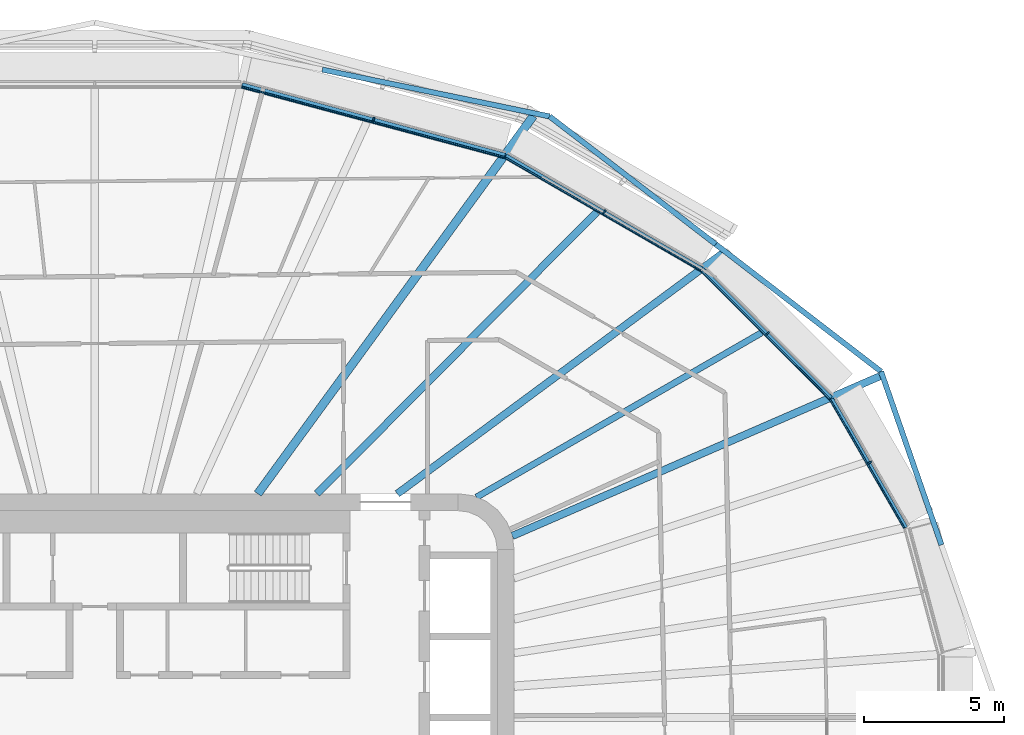
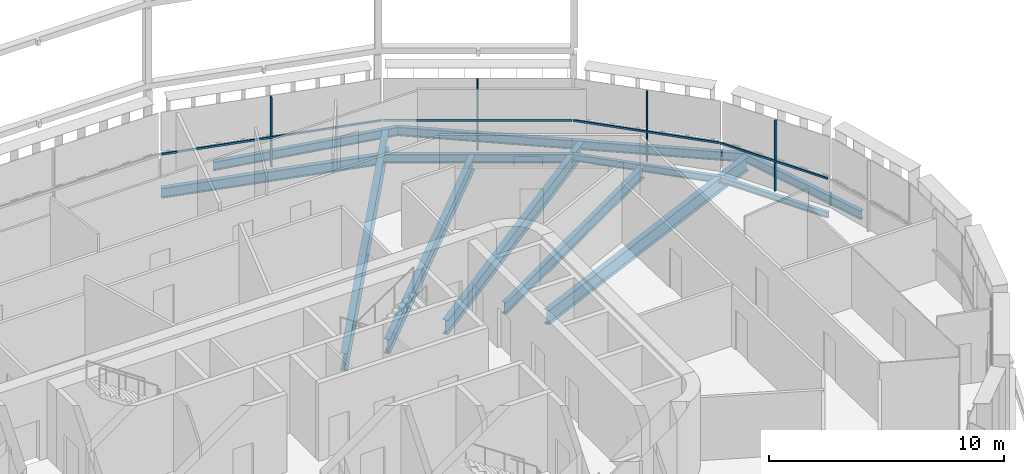
# One storey, part 8 of 22: 13 beams, 8 members, 4 elements without a shape of their own.
"""IFC4 building model written with IfcOpenShell, lengths in metres."""

from ifc_helpers import new_model, si_unit, direction, frame, origin, origin_2d, place, context, subcontext, project, spatial, rectangle, i_section, extrude, material, layer, layer_set, material_profile, profile_set, type_object, element, aggregate, save


model = new_model("IFC4")

# Units and contexts
model_context = context("Model", 3, precision=1e-05, world=origin(), true_north=direction((0.0, 1.0)))
body_context = subcontext(model_context, "Body", "Model", "MODEL_VIEW")
ifc_project = project(units=[si_unit("LENGTHUNIT", "METRE"), si_unit("AREAUNIT", "SQUARE_METRE"), si_unit("VOLUMEUNIT", "CUBIC_METRE"), si_unit("PLANEANGLEUNIT", "RADIAN"), si_unit("MASSUNIT", "GRAM", prefix="KILO")], contexts=[model_context])

# Site, building, storey
site_placement = place(None, origin())
site = spatial("IfcSite", under=ifc_project, at=site_placement, CompositionType="ELEMENT")
building_placement = place(site_placement, origin())
building = spatial("IfcBuilding", under=site, at=building_placement, Name="Sahrelin Media Tower", CompositionType="ELEMENT")
storey_placement = place(building_placement, frame((0.0, 0.0, 50.39990234375)))
storey = spatial("IfcBuildingStorey", under=building, at=storey_placement, Name="L07", CompositionType="ELEMENT", Elevation=50.39990234375)

# Beams
ifc_material_1 = material(Name="Steel S355", Category="steel")
ifc_material_profile_1 = material_profile(ifc_material_1, i_section(OverallWidth=0.1650390625, OverallDepth=0.303466796875, WebThickness=0.006103515625, FlangeThickness=0.01025390625, FilletRadius=0.0087890625, at=origin_2d()), Name="UB 305x165x40")
ifc_profile_set_1 = profile_set([ifc_material_profile_1], Name="Steel S355")
beam_type_1 = type_object("IfcBeamType", Name="Edge beam EB2", PredefinedType="BEAM", material=ifc_profile_set_1)
beam_1_placement = place(storey_placement, frame((26.337158203125, 11.390380859375, -0.301513671875), z_axis=(0.500035096025, -0.866005140137, 0.0), x_axis=(0.866005140137, 0.500035096025, 0.0)))
element("IfcBeam", 1, at=beam_1_placement, inside=storey, type_object=beam_type_1, Name="Edge beam L07-23", PredefinedType="BEAM", context=body_context, shape_type="SweptSolid", body=[
    extrude(i_section(OverallWidth=0.1650390625, OverallDepth=0.303466796875, WebThickness=0.006103515625, FlangeThickness=0.01025390625, FilletRadius=0.0087890625, at=origin_2d()), origin(), (0.0, 0.0, 1.0), 5.3173828125),
])
ifc_material_profile_2 = material_profile(ifc_material_1, i_section(OverallWidth=0.17138671875, OverallDepth=0.35498046875, WebThickness=0.00732421875, FlangeThickness=0.011474609375, FilletRadius=0.01025390625, at=origin_2d()), Name="UB 356x171x51")
ifc_profile_set_2 = profile_set([ifc_material_profile_2], Name="Steel S355")
beam_type_2 = type_object("IfcBeamType", Name="Edge beam EB3", PredefinedType="BEAM", material=ifc_profile_set_2)
beam_2_placement = place(storey_placement, frame((21.736572265625, 15.996337890625, -0.327392578125), z_axis=(0.707087947355, -0.707125614516, 0.0), x_axis=(0.707125614516, 0.707087947355, 0.0)))
element("IfcBeam", 2, at=beam_2_placement, inside=storey, type_object=beam_type_2, Name="Edge beam L07-22", PredefinedType="BEAM", context=body_context, shape_type="SweptSolid", body=[
    extrude(i_section(OverallWidth=0.17138671875, OverallDepth=0.35498046875, WebThickness=0.00732421875, FlangeThickness=0.011474609375, FilletRadius=0.01025390625, at=origin_2d()), origin(), (0.0, 0.0, 1.0), 6.4814453125),
])
ifc_material_profile_3 = material_profile(ifc_material_1, i_section(OverallWidth=0.1904296875, OverallDepth=0.45703125, WebThickness=0.009033203125, FlangeThickness=0.014404296875, FilletRadius=0.01025390625, at=origin_2d()), Name="UB 457x191x74")
ifc_profile_set_3 = profile_set([ifc_material_profile_3], Name="Steel S355")
beam_type_3 = type_object("IfcBeamType", Name="Edge beam EB5", PredefinedType="BEAM", material=ifc_profile_set_3)
beam_3_placement = place(storey_placement, frame((14.694091796875, 20.066650390625, -0.37841796875), z_axis=(0.866025076934, -0.500000566121, 0.0), x_axis=(0.500000566121, 0.866025076934, 0.0)))
element("IfcBeam", 3, at=beam_3_placement, inside=storey, type_object=beam_type_3, Name="Edge beam L07-21", PredefinedType="BEAM", context=body_context, shape_type="SweptSolid", body=[
    extrude(i_section(OverallWidth=0.1904296875, OverallDepth=0.45703125, WebThickness=0.009033203125, FlangeThickness=0.014404296875, FilletRadius=0.01025390625, at=origin_2d()), origin(), (0.0, 0.0, 1.0), 8.10546875),
])
ifc_material_profile_4 = material_profile(ifc_material_1, i_section(OverallWidth=0.208740234375, OverallDepth=0.5283203125, WebThickness=0.009521484375, FlangeThickness=0.01318359375, FilletRadius=0.0126953125, at=origin_2d()), Name="UB 533x210x82")
ifc_profile_set_4 = profile_set([ifc_material_profile_4], Name="Steel S355")
beam_type_4 = type_object("IfcBeamType", Name="Edge beam EB6", PredefinedType="BEAM", material=ifc_profile_set_4)
beam_4_placement = place(storey_placement, frame((5.26123046875, 22.597900390625, -0.4140625), z_axis=(0.96592925142, -0.258806262002, 0.0), x_axis=(0.258806262002, 0.96592925142, 0.0)))
element("IfcBeam", 4, at=beam_4_placement, inside=storey, type_object=beam_type_4, Name="Edge beam L07-20", PredefinedType="BEAM", context=body_context, shape_type="SweptSolid", body=[
    extrude(i_section(OverallWidth=0.208740234375, OverallDepth=0.5283203125, WebThickness=0.009521484375, FlangeThickness=0.01318359375, FilletRadius=0.0126953125, at=origin_2d()), origin(), (0.0, 0.0, 1.0), 9.738037109375),
])

# Curtain wall, member
ifc_material_2 = material(Name="Champagne anodised aluminium 6063-T6", Category="aluminium")
ifc_layer = layer(ifc_material_2, 0.14990234375)
ifc_layer_set = layer_set([ifc_layer], Name="Tower ribbon curtain wall")
curtain_wall_type = type_object("IfcCurtainWallType", Name="Tower ribbon curtain wall", PredefinedType="NOTDEFINED", material=ifc_layer_set)
curtain_wall_1_placement = place(storey_placement, frame((27.79638671875, 9.162841796875, 0.0), z_axis=(0.0, 0.0, 1.0), x_axis=(1.0, 0.0, 0.0)))
curtain_wall_1 = element("IfcCurtainWall", 5, at=curtain_wall_1_placement, inside=storey, type_object=curtain_wall_type, Name="L07:CW:L07-02", PredefinedType="NOTDEFINED")
ifc_material_profile_5 = material_profile(ifc_material_2, rectangle(XDim=0.06005859375, YDim=0.14990234375, at=origin_2d()), Name="Mullion 60x150")
ifc_profile_set_5 = profile_set([ifc_material_profile_5], Name="Champagne anodised aluminium 6063-T6")
member_type_1 = type_object("IfcMemberType", Name="Mullion 60x150 CW1", PredefinedType="MULLION", material=ifc_profile_set_5)
member_1_placement = place(storey_placement, frame((27.714111328125, 9.115234375, 0.0), z_axis=(0.0, 0.0, 1.0), x_axis=(-0.500001511499, 0.866024531118, 0.0)))
member_1 = element("IfcMember", 6, at=member_1_placement, type_object=member_type_1, Name="L07:CWM:L07-02", PredefinedType="MULLION", context=body_context, shape_type="SweptSolid", body=[
    extrude(rectangle(XDim=0.06005859375, YDim=0.14990234375, at=origin_2d()), origin(), (0.0, 0.0, 1.0), 3.648681640625),
])

curtain_wall_2_placement = place(storey_placement, frame((24.13427734375, 13.810791015625, 0.0), z_axis=(0.0, 0.0, 1.0), x_axis=(1.0, 0.0, 0.0)))
curtain_wall_2 = element("IfcCurtainWall", 7, at=curtain_wall_2_placement, inside=storey, type_object=curtain_wall_type, Name="L07:CW:L07-03", PredefinedType="NOTDEFINED")
member_2_placement = place(storey_placement, frame((24.06689453125, 13.74365234375, 0.0), z_axis=(0.0, 0.0, 1.0), x_axis=(-0.707106781187, 0.707106781187, 0.0)))
member_2 = element("IfcMember", 8, at=member_2_placement, type_object=member_type_1, Name="L07:CWM:L07-03", PredefinedType="MULLION", context=body_context, shape_type="SweptSolid", body=[
    extrude(rectangle(XDim=0.06005859375, YDim=0.14990234375, at=origin_2d()), origin(), (0.0, 0.0, 1.0), 3.648681640625),
])

curtain_wall_3_placement = place(storey_placement, frame((18.27880859375, 18.170166015625, 0.0), z_axis=(0.0, 0.0, 1.0), x_axis=(1.0, 0.0, 0.0)))
curtain_wall_3 = element("IfcCurtainWall", 9, at=curtain_wall_3_placement, inside=storey, type_object=curtain_wall_type, Name="L07:CW:L07-04", PredefinedType="NOTDEFINED")
member_3_placement = place(storey_placement, frame((18.2314453125, 18.087890625, 0.0), z_axis=(0.0, 0.0, 1.0), x_axis=(-0.866025403784, 0.5, 0.0)))
member_3 = element("IfcMember", 10, at=member_3_placement, type_object=member_type_1, Name="L07:CWM:L07-04", PredefinedType="MULLION", context=body_context, shape_type="SweptSolid", body=[
    extrude(rectangle(XDim=0.06005859375, YDim=0.14990234375, at=origin_2d()), origin(), (0.0, 0.0, 1.0), 3.648681640625),
])

curtain_wall_4_placement = place(storey_placement, frame((10.003173828125, 21.48291015625, 0.0), z_axis=(0.0, 0.0, 1.0), x_axis=(1.0, 0.0, 0.0)))
curtain_wall_4 = element("IfcCurtainWall", 11, at=curtain_wall_4_placement, inside=storey, type_object=curtain_wall_type, Name="L07:CW:L07-05", PredefinedType="NOTDEFINED")
member_4_placement = place(storey_placement, frame((9.978515625, 21.39111328125, 0.0), z_axis=(0.0, 0.0, 1.0), x_axis=(-0.965927181449, 0.258813987523, 0.0)))
member_4 = element("IfcMember", 12, at=member_4_placement, type_object=member_type_1, Name="L07:CWM:L07-05", PredefinedType="MULLION", context=body_context, shape_type="SweptSolid", body=[
    extrude(rectangle(XDim=0.06005859375, YDim=0.14990234375, at=origin_2d()), origin(), (0.0, 0.0, 1.0), 3.648681640625),
])

# Beams
ifc_material_profile_6 = material_profile(ifc_material_1, i_section(OverallWidth=0.30322265625, OverallDepth=0.903076171875, WebThickness=0.01513671875, FlangeThickness=0.020263671875, FilletRadius=0.01904296875, at=origin_2d()), Name="UB 914x305x201")
ifc_profile_set_6 = profile_set([ifc_material_profile_6], Name="Steel S355")
beam_type_5 = type_object("IfcBeamType", Name="Radial primary beam PB11", PredefinedType="BEAM", material=ifc_profile_set_6)
beam_5_placement = place(storey_placement, frame((5.83349609375, 8.0, -0.601318359375), z_axis=(0.589182282122, 0.808000147546, 0.0), x_axis=(-0.808000147546, 0.589182282122, 0.0)))
element("IfcBeam", 13, at=beam_5_placement, inside=storey, type_object=beam_type_5, Name="Radial beam L07-05", PredefinedType="BEAM", context=body_context, shape_type="SweptSolid", body=[
    extrude(i_section(OverallWidth=0.30322265625, OverallDepth=0.903076171875, WebThickness=0.01513671875, FlangeThickness=0.020263671875, FilletRadius=0.01904296875, at=origin_2d()), origin(), (0.0, 0.0, 1.0), 16.72705078125),
])
ifc_material_profile_7 = material_profile(ifc_material_1, i_section(OverallWidth=0.26513671875, OverallDepth=0.75390625, WebThickness=0.0126953125, FlangeThickness=0.017578125, FilletRadius=0.0166015625, at=origin_2d()), Name="UB 762x267x147")
ifc_profile_set_7 = profile_set([ifc_material_profile_7], Name="Steel S355")
beam_type_6 = type_object("IfcBeamType", Name="Radial primary beam PB9", PredefinedType="BEAM", material=ifc_profile_set_7)
beam_6_placement = place(storey_placement, frame((14.935302734375, 6.49072265625, -0.52685546875), z_axis=(0.917134773268, 0.398577229232, 0.0), x_axis=(-0.398577229232, 0.917134773268, 0.0)))
element("IfcBeam", 14, at=beam_6_placement, inside=storey, type_object=beam_type_6, Name="Radial beam L07-03", PredefinedType="BEAM", context=body_context, shape_type="SweptSolid", body=[
    extrude(i_section(OverallWidth=0.26513671875, OverallDepth=0.75390625, WebThickness=0.0126953125, FlangeThickness=0.017578125, FilletRadius=0.0166015625, at=origin_2d()), origin(), (0.0, 0.0, 1.0), 14.331298828125),
])
beam_7_placement = place(storey_placement, frame((10.823486328125, 8.0, -0.52685546875), z_axis=(0.804169832408, 0.594399596774, 0.0), x_axis=(-0.594399596774, 0.804169832408, 0.0)))
element("IfcBeam", 15, at=beam_7_placement, inside=storey, type_object=beam_type_6, Name="Radial beam L07-04", PredefinedType="BEAM", context=body_context, shape_type="SweptSolid", body=[
    extrude(i_section(OverallWidth=0.26513671875, OverallDepth=0.75390625, WebThickness=0.0126953125, FlangeThickness=0.017578125, FilletRadius=0.0166015625, at=origin_2d()), origin(), (0.0, 0.0, 1.0), 14.475830078125),
])
ifc_material_profile_8 = material_profile(ifc_material_1, i_section(OverallWidth=0.2275390625, OverallDepth=0.6025390625, WebThickness=0.010498046875, FlangeThickness=0.014892578125, FilletRadius=0.0126953125, at=origin_2d()), Name="UB 610x229x101")
ifc_profile_set_8 = profile_set([ifc_material_profile_8], Name="Steel S355")
beam_type_7 = type_object("IfcBeamType", Name="Radial secondary beam SB7", PredefinedType="BEAM", material=ifc_profile_set_8)
beam_8_placement = place(storey_placement, frame((13.65283203125, 7.8759765625, -0.451171875), z_axis=(0.866208367887, 0.49968296289, 0.0), x_axis=(-0.49968296289, 0.866208367887, 0.0)))
element("IfcBeam", 16, at=beam_8_placement, inside=storey, type_object=beam_type_7, Name="Secondary beam L07-03", PredefinedType="BEAM", context=body_context, shape_type="SweptSolid", body=[
    extrude(i_section(OverallWidth=0.2275390625, OverallDepth=0.6025390625, WebThickness=0.010498046875, FlangeThickness=0.014892578125, FilletRadius=0.0126953125, at=origin_2d()), origin(), (0.0, 0.0, 1.0), 11.774658203125),
])
ifc_material_profile_9 = material_profile(ifc_material_1, i_section(OverallWidth=0.26513671875, OverallDepth=0.75390625, WebThickness=0.0126953125, FlangeThickness=0.017578125, FilletRadius=0.0166015625, at=origin_2d()), Name="UB 762x267x147")
ifc_profile_set_9 = profile_set([ifc_material_profile_9], Name="Steel S355")
beam_type_8 = type_object("IfcBeamType", Name="Radial secondary beam SB9", PredefinedType="BEAM", material=ifc_profile_set_9)
beam_9_placement = place(storey_placement, frame((7.948486328125, 8.0, -0.52685546875), z_axis=(0.704816337712, 0.709389829426, 0.0), x_axis=(-0.709389829426, 0.704816337712, 0.0)))
element("IfcBeam", 17, at=beam_9_placement, inside=storey, type_object=beam_type_8, Name="Secondary beam L07-04", PredefinedType="BEAM", context=body_context, shape_type="SweptSolid", body=[
    extrude(i_section(OverallWidth=0.26513671875, OverallDepth=0.75390625, WebThickness=0.0126953125, FlangeThickness=0.017578125, FilletRadius=0.0166015625, at=origin_2d()), origin(), (0.0, 0.0, 1.0), 14.199462890625),
])
ifc_material_profile_10 = material_profile(ifc_material_1, i_section(OverallWidth=0.1904296875, OverallDepth=0.45703125, WebThickness=0.009033203125, FlangeThickness=0.014404296875, FilletRadius=0.01025390625, at=origin_2d()), Name="UB 457x191x74")
ifc_profile_set_10 = profile_set([ifc_material_profile_10], Name="Steel S355")
beam_type_9 = type_object("IfcBeamType", Name="Tie chord TC5", PredefinedType="BEAM", material=ifc_profile_set_10)
beam_10_placement = place(storey_placement, frame((8.140869140625, 23.1689453125, -0.37841796875), z_axis=(0.979395648477, -0.201950894386, 0.0), x_axis=(0.201950894386, 0.979395648477, 0.0)))
element("IfcBeam", 18, at=beam_10_placement, inside=storey, type_object=beam_type_9, Name="Tie chord L07-20", PredefinedType="BEAM", context=body_context, shape_type="SweptSolid", body=[
    extrude(i_section(OverallWidth=0.1904296875, OverallDepth=0.45703125, WebThickness=0.009033203125, FlangeThickness=0.014404296875, FilletRadius=0.01025390625, at=origin_2d()), origin(), (0.0, 0.0, 1.0), 8.299072265625),
])
beam_11_placement = place(storey_placement, frame((16.26904296875, 21.492919921875, -0.37841796875), z_axis=(0.792465355599, -0.609916928913, 0.0), x_axis=(0.609916928913, 0.792465355599, 0.0)))
element("IfcBeam", 19, at=beam_11_placement, inside=storey, type_object=beam_type_9, Name="Tie chord L07-21", PredefinedType="BEAM", context=body_context, shape_type="SweptSolid", body=[
    extrude(i_section(OverallWidth=0.1904296875, OverallDepth=0.45703125, WebThickness=0.009033203125, FlangeThickness=0.014404296875, FilletRadius=0.01025390625, at=origin_2d()), origin(), (0.0, 0.0, 1.0), 7.49609375),
])
beam_12_placement = place(storey_placement, frame((22.20947265625, 16.9208984375, -0.37841796875), z_axis=(0.792441485976, -0.609947941471, 0.0), x_axis=(0.609947941471, 0.792441485976, 0.0)))
element("IfcBeam", 20, at=beam_12_placement, inside=storey, type_object=beam_type_9, Name="Tie chord L07-22", PredefinedType="BEAM", context=body_context, shape_type="SweptSolid", body=[
    extrude(i_section(OverallWidth=0.1904296875, OverallDepth=0.45703125, WebThickness=0.009033203125, FlangeThickness=0.014404296875, FilletRadius=0.01025390625, at=origin_2d()), origin(), (0.0, 0.0, 1.0), 7.4609375),
])
beam_13_placement = place(storey_placement, frame((28.121826171875, 12.3701171875, -0.37841796875), z_axis=(0.328689445257, -0.944438059682, 0.0), x_axis=(0.944438059682, 0.328689445257, 0.0)))
element("IfcBeam", 21, at=beam_13_placement, inside=storey, type_object=beam_type_9, Name="Tie chord L07-23", PredefinedType="BEAM", context=body_context, shape_type="SweptSolid", body=[
    extrude(i_section(OverallWidth=0.1904296875, OverallDepth=0.45703125, WebThickness=0.009033203125, FlangeThickness=0.014404296875, FilletRadius=0.01025390625, at=origin_2d()), origin(), (0.0, 0.0, 1.0), 6.562255859375),
])

# Member
ifc_material_profile_11 = material_profile(ifc_material_2, rectangle(XDim=0.050048828125, YDim=0.10009765625, at=origin_2d()), Name="Transom 50x100")
ifc_profile_set_11 = profile_set([ifc_material_profile_11], Name="Champagne anodised aluminium 6063-T6")
member_type_2 = type_object("IfcMemberType", Name="Transom 50x100 CW1", PredefinedType="USERDEFINED", material=ifc_profile_set_11)
member_5_placement = place(storey_placement, frame((28.94921875, 6.7763671875, 1.60009765625), z_axis=(-0.500003640647, 0.866023301845, 0.0), x_axis=(-0.866023301845, -0.500003640647, 0.0)))
member_5 = element("IfcMember", 22, at=member_5_placement, type_object=member_type_2, Name="L07:CWT:L07-02", ObjectType="TRANSOM", PredefinedType="USERDEFINED", context=body_context, shape_type="SweptSolid", body=[
    extrude(rectangle(XDim=0.050048828125, YDim=0.10009765625, at=origin_2d()), origin(), (0.0, 0.0, 1.0), 5.2861328125),
])

aggregate(curtain_wall_1, [member_1, member_5])

member_6_placement = place(storey_placement, frame((26.27685546875, 11.392578125, 1.60009765625), z_axis=(-0.707106781187, 0.707106781187, 0.0), x_axis=(-0.707106781187, -0.707106781187, 0.0)))
member_6 = element("IfcMember", 23, at=member_6_placement, type_object=member_type_2, Name="L07:CWT:L07-03", ObjectType="TRANSOM", PredefinedType="USERDEFINED", context=body_context, shape_type="SweptSolid", body=[
    extrude(rectangle(XDim=0.050048828125, YDim=0.10009765625, at=origin_2d()), origin(), (0.0, 0.0, 1.0), 6.4501953125),
])

aggregate(curtain_wall_2, [member_2, member_6])

member_7_placement = place(storey_placement, frame((21.677490234375, 15.98291015625, 1.60009765625), z_axis=(-0.866029485168, 0.49999293077, 0.0), x_axis=(-0.49999293077, -0.866029485168, 0.0)))
member_7 = element("IfcMember", 24, at=member_7_placement, type_object=member_type_2, Name="L07:CWT:L07-04", ObjectType="TRANSOM", PredefinedType="USERDEFINED", context=body_context, shape_type="SweptSolid", body=[
    extrude(rectangle(XDim=0.050048828125, YDim=0.10009765625, at=origin_2d()), origin(), (0.0, 0.0, 1.0), 8.07373046875),
])

aggregate(curtain_wall_3, [member_3, member_7])

member_8_placement = place(storey_placement, frame((14.640625, 20.038330078125, 1.60009765625), z_axis=(-0.965927843343, 0.258811517238, 0.0), x_axis=(-0.258811517238, -0.965927843343, 0.0)))
member_8 = element("IfcMember", 25, at=member_8_placement, type_object=member_type_2, Name="L07:CWT:L07-05", ObjectType="TRANSOM", PredefinedType="USERDEFINED", context=body_context, shape_type="SweptSolid", body=[
    extrude(rectangle(XDim=0.050048828125, YDim=0.10009765625, at=origin_2d()), origin(), (0.0, 0.0, 1.0), 9.706787109375),
])

aggregate(curtain_wall_4, [member_4, member_8])

save(model, "model.ifc")
